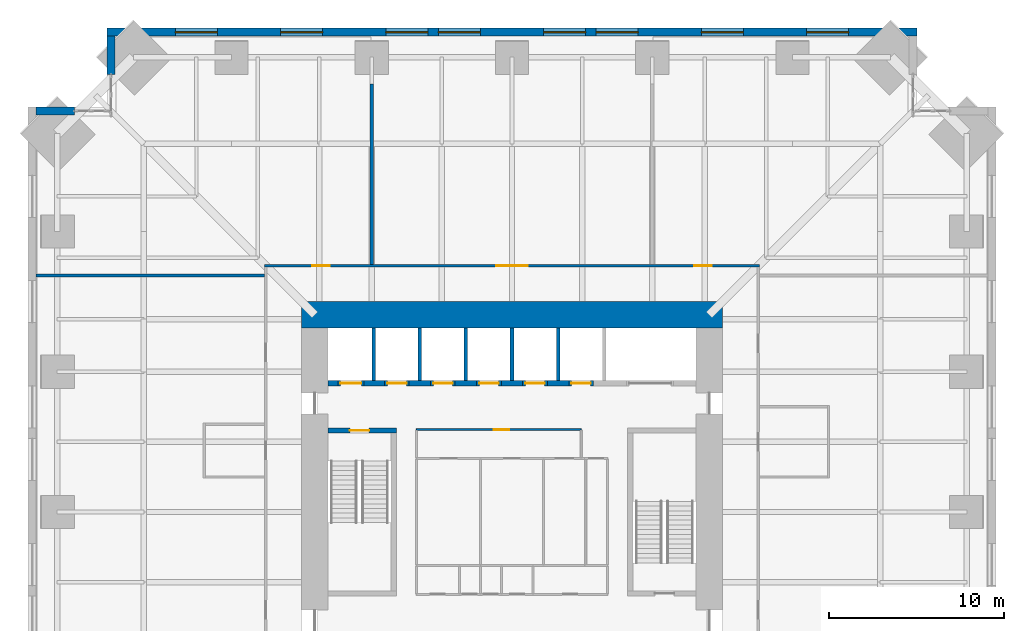
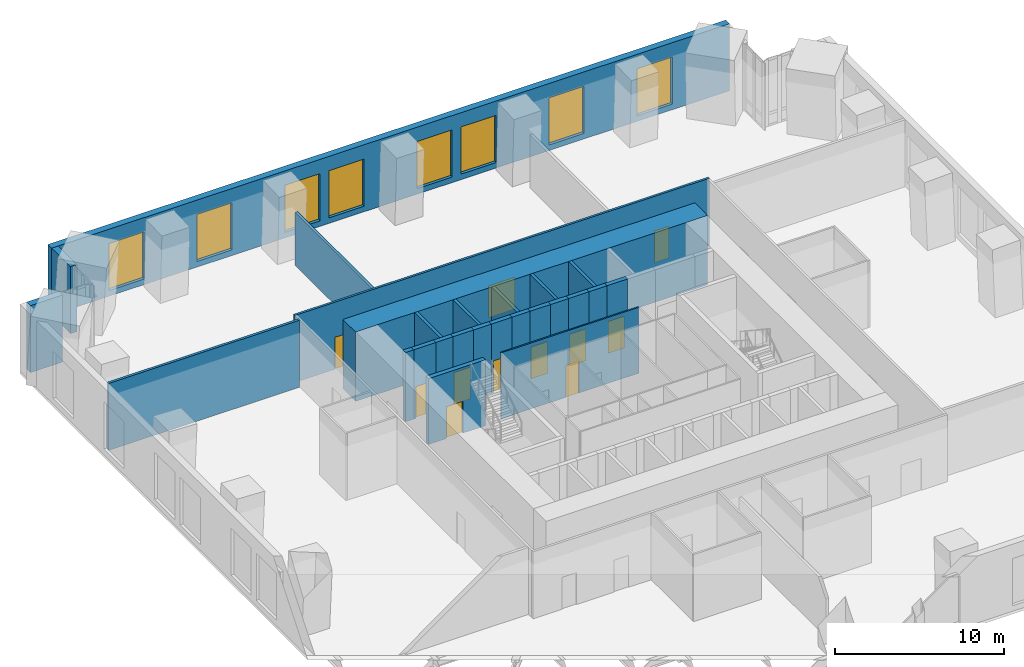
# One storey, part 15 of 18: 26 walls, 11 doors, 8 windows, 19 openings.
"""IFC4 building model written with IfcOpenShell, lengths in metres."""

from ifc_helpers import new_model, si_unit, direction, frame, frame_2d, origin, place, context, subcontext, project, spatial, rectangle, extrude, material, layer, layer_set, type_object, element, fill, save


model = new_model("IFC4")

# Units and contexts
model_context = context("Model", 3, precision=1e-05, world=origin(), true_north=direction((0.0, 1.0)))
body_context = subcontext(model_context, "Body", "Model", "MODEL_VIEW")
ifc_project = project(units=[si_unit("LENGTHUNIT", "METRE"), si_unit("AREAUNIT", "SQUARE_METRE"), si_unit("VOLUMEUNIT", "CUBIC_METRE"), si_unit("PLANEANGLEUNIT", "RADIAN"), si_unit("MASSUNIT", "GRAM", prefix="KILO")], contexts=[model_context])

# Site, building, storey
site_placement = place(None, origin())
site = spatial("IfcSite", under=ifc_project, at=site_placement, CompositionType="ELEMENT")
building_placement = place(site_placement, origin())
building = spatial("IfcBuilding", under=site, at=building_placement, Name="Peilmerk Tower", CompositionType="ELEMENT")
storey_placement = place(building_placement, frame((0.0, 0.0, 122.800048828125)))
storey = spatial("IfcBuildingStorey", under=building, at=storey_placement, Name="L24", CompositionType="ELEMENT", Elevation=122.800048828125)

# Wall, openings, windows
ifc_material_1 = material(Name="Precast concrete C45/55, board-marked finish", Category="concrete")
ifc_layer_1 = layer(ifc_material_1, 0.449951171875)
ifc_layer_set_1 = layer_set([ifc_layer_1], Name="Precast concrete C45/55, board-marked finish")
wall_type_1 = type_object("IfcWallType", Name="EW1 450 precast concrete facade wall, board-marked", PredefinedType="SOLIDWALL", material=ifc_layer_set_1)
wall_1_placement = place(storey_placement, frame((23.10009765625, 27.375, 0.0), z_axis=(0.0, 0.0, 1.0), x_axis=(-1.0, 0.0, 0.0)))
wall_1 = element("IfcWall", 1, at=wall_1_placement, inside=storey, type_object=wall_type_1, Name="Facade wall N L24", PredefinedType="SOLIDWALL", context=body_context, shape_type="SweptSolid", body=[
    extrude(rectangle(XDim=46.2001953125, YDim=0.449951171875, at=frame_2d((23.10009765625, 0.0))), origin(), (0.0, 0.0, 1.0), 4.829833984375),
])
opening_1_placement = place(wall_1_placement, frame((3.89990234375, 0.0, 0.39990234375)))
opening_1 = element("IfcOpeningElement", 2, at=opening_1_placement, cuts=wall_1, Name="Opening W6", PredefinedType="OPENING", context=body_context, shape_type="SweptSolid", body=[
    extrude(rectangle(XDim=2.39990234375, YDim=3.39990234375, at=frame_2d((1.199951171875, 1.699951171875))), frame((0.0, 0.23486328125, 0.0), z_axis=(0.0, -1.0, 0.0), x_axis=(1.0, 0.0, 0.0)), (0.0, 0.0, 1.0), 0.469970703125),
])
opening_2_placement = place(wall_1_placement, frame((9.89990234375, 0.0, 0.39990234375)))
opening_2 = element("IfcOpeningElement", 3, at=opening_2_placement, cuts=wall_1, Name="Opening W6", PredefinedType="OPENING", context=body_context, shape_type="SweptSolid", body=[
    extrude(rectangle(XDim=2.39990234375, YDim=3.39990234375, at=frame_2d((1.199951171875, 1.699951171875))), frame((0.0, 0.23486328125, 0.0), z_axis=(0.0, -1.0, 0.0), x_axis=(1.0, 0.0, 0.0)), (0.0, 0.0, 1.0), 0.469970703125),
])
opening_3_placement = place(wall_1_placement, frame((15.89990234375, 0.0, 0.39990234375)))
opening_3 = element("IfcOpeningElement", 4, at=opening_3_placement, cuts=wall_1, Name="Opening W6", PredefinedType="OPENING", context=body_context, shape_type="SweptSolid", body=[
    extrude(rectangle(XDim=2.39990234375, YDim=3.39990234375, at=frame_2d((1.199951171875, 1.699951171875))), frame((0.0, 0.23486328125, 0.0), z_axis=(0.0, -1.0, 0.0), x_axis=(1.0, 0.0, 0.0)), (0.0, 0.0, 1.0), 0.469970703125),
])
opening_4_placement = place(wall_1_placement, frame((18.89990234375, 0.0, 0.39990234375)))
opening_4 = element("IfcOpeningElement", 5, at=opening_4_placement, cuts=wall_1, Name="Opening W6", PredefinedType="OPENING", context=body_context, shape_type="SweptSolid", body=[
    extrude(rectangle(XDim=2.39990234375, YDim=3.39990234375, at=frame_2d((1.199951171875, 1.699951171875))), frame((0.0, 0.23486328125, 0.0), z_axis=(0.0, -1.0, 0.0), x_axis=(1.0, 0.0, 0.0)), (0.0, 0.0, 1.0), 0.469970703125),
])
opening_5_placement = place(wall_1_placement, frame((24.89990234375, 0.0, 0.39990234375)))
opening_5 = element("IfcOpeningElement", 6, at=opening_5_placement, cuts=wall_1, Name="Opening W6", PredefinedType="OPENING", context=body_context, shape_type="SweptSolid", body=[
    extrude(rectangle(XDim=2.39990234375, YDim=3.39990234375, at=frame_2d((1.199951171875, 1.699951171875))), frame((0.0, 0.23486328125, 0.0), z_axis=(0.0, -1.0, 0.0), x_axis=(1.0, 0.0, 0.0)), (0.0, 0.0, 1.0), 0.469970703125),
])
opening_6_placement = place(wall_1_placement, frame((27.89990234375, 0.0, 0.39990234375)))
opening_6 = element("IfcOpeningElement", 7, at=opening_6_placement, cuts=wall_1, Name="Opening W6", PredefinedType="OPENING", context=body_context, shape_type="SweptSolid", body=[
    extrude(rectangle(XDim=2.39990234375, YDim=3.39990234375, at=frame_2d((1.199951171875, 1.699951171875))), frame((0.0, 0.23486328125, 0.0), z_axis=(0.0, -1.0, 0.0), x_axis=(1.0, 0.0, 0.0)), (0.0, 0.0, 1.0), 0.469970703125),
])
opening_7_placement = place(wall_1_placement, frame((33.89990234375, 0.0, 0.39990234375)))
opening_7 = element("IfcOpeningElement", 8, at=opening_7_placement, cuts=wall_1, Name="Opening W6", PredefinedType="OPENING", context=body_context, shape_type="SweptSolid", body=[
    extrude(rectangle(XDim=2.39990234375, YDim=3.39990234375, at=frame_2d((1.199951171875, 1.699951171875))), frame((0.0, 0.23486328125, 0.0), z_axis=(0.0, -1.0, 0.0), x_axis=(1.0, 0.0, 0.0)), (0.0, 0.0, 1.0), 0.469970703125),
])
opening_8_placement = place(wall_1_placement, frame((39.89990234375, 0.0, 0.39990234375)))
opening_8 = element("IfcOpeningElement", 9, at=opening_8_placement, cuts=wall_1, Name="Opening W6", PredefinedType="OPENING", context=body_context, shape_type="SweptSolid", body=[
    extrude(rectangle(XDim=2.39990234375, YDim=3.39990234375, at=frame_2d((1.199951171875, 1.699951171875))), frame((0.0, 0.23486328125, 0.0), z_axis=(0.0, -1.0, 0.0), x_axis=(1.0, 0.0, 0.0)), (0.0, 0.0, 1.0), 0.469970703125),
])
ifc_material_2 = material(Name="Aluminium frame, clear double glazing", Category="aluminium")
window_type = type_object("IfcWindowType", Name="W6 2400x3400 sky lobby window", PartitioningType="SINGLE_PANEL", PredefinedType="WINDOW", material=ifc_material_2)
window_1_placement = place(opening_1_placement, origin())
window_1 = element("IfcWindow", 10, at=window_1_placement, inside=storey, type_object=window_type, Name="Window W6 L24", OverallHeight=3.39990234375, OverallWidth=2.39990234375, PartitioningType="SINGLE_PANEL", PredefinedType="WINDOW", context=body_context, shape_type="SweptSolid", body=[
    extrude(rectangle(XDim=2.39990234375, YDim=3.39990234375, at=frame_2d((1.199951171875, 1.699951171875))), frame((0.0, 0.030029296875, 0.0), z_axis=(0.0, -1.0, 0.0), x_axis=(1.0, 0.0, 0.0)), (0.0, 0.0, 1.0), 0.06005859375),
])
fill(opening_1, window_1)
window_2_placement = place(opening_2_placement, origin())
window_2 = element("IfcWindow", 11, at=window_2_placement, inside=storey, type_object=window_type, Name="Window W6 L24", OverallHeight=3.39990234375, OverallWidth=2.39990234375, PartitioningType="SINGLE_PANEL", PredefinedType="WINDOW", context=body_context, shape_type="SweptSolid", body=[
    extrude(rectangle(XDim=2.39990234375, YDim=3.39990234375, at=frame_2d((1.199951171875, 1.699951171875))), frame((0.0, 0.030029296875, 0.0), z_axis=(0.0, -1.0, 0.0), x_axis=(1.0, 0.0, 0.0)), (0.0, 0.0, 1.0), 0.06005859375),
])
fill(opening_2, window_2)
window_3_placement = place(opening_3_placement, origin())
window_3 = element("IfcWindow", 12, at=window_3_placement, inside=storey, type_object=window_type, Name="Window W6 L24", OverallHeight=3.39990234375, OverallWidth=2.39990234375, PartitioningType="SINGLE_PANEL", PredefinedType="WINDOW", context=body_context, shape_type="SweptSolid", body=[
    extrude(rectangle(XDim=2.39990234375, YDim=3.39990234375, at=frame_2d((1.199951171875, 1.699951171875))), frame((0.0, 0.030029296875, 0.0), z_axis=(0.0, -1.0, 0.0), x_axis=(1.0, 0.0, 0.0)), (0.0, 0.0, 1.0), 0.06005859375),
])
fill(opening_3, window_3)
window_4_placement = place(opening_4_placement, origin())
window_4 = element("IfcWindow", 13, at=window_4_placement, inside=storey, type_object=window_type, Name="Window W6 L24", OverallHeight=3.39990234375, OverallWidth=2.39990234375, PartitioningType="SINGLE_PANEL", PredefinedType="WINDOW", context=body_context, shape_type="SweptSolid", body=[
    extrude(rectangle(XDim=2.39990234375, YDim=3.39990234375, at=frame_2d((1.199951171875, 1.699951171875))), frame((0.0, 0.030029296875, 0.0), z_axis=(0.0, -1.0, 0.0), x_axis=(1.0, 0.0, 0.0)), (0.0, 0.0, 1.0), 0.06005859375),
])
fill(opening_4, window_4)
window_5_placement = place(opening_5_placement, origin())
window_5 = element("IfcWindow", 14, at=window_5_placement, inside=storey, type_object=window_type, Name="Window W6 L24", OverallHeight=3.39990234375, OverallWidth=2.39990234375, PartitioningType="SINGLE_PANEL", PredefinedType="WINDOW", context=body_context, shape_type="SweptSolid", body=[
    extrude(rectangle(XDim=2.39990234375, YDim=3.39990234375, at=frame_2d((1.199951171875, 1.699951171875))), frame((0.0, 0.030029296875, 0.0), z_axis=(0.0, -1.0, 0.0), x_axis=(1.0, 0.0, 0.0)), (0.0, 0.0, 1.0), 0.06005859375),
])
fill(opening_5, window_5)
window_6_placement = place(opening_6_placement, origin())
window_6 = element("IfcWindow", 15, at=window_6_placement, inside=storey, type_object=window_type, Name="Window W6 L24", OverallHeight=3.39990234375, OverallWidth=2.39990234375, PartitioningType="SINGLE_PANEL", PredefinedType="WINDOW", context=body_context, shape_type="SweptSolid", body=[
    extrude(rectangle(XDim=2.39990234375, YDim=3.39990234375, at=frame_2d((1.199951171875, 1.699951171875))), frame((0.0, 0.030029296875, 0.0), z_axis=(0.0, -1.0, 0.0), x_axis=(1.0, 0.0, 0.0)), (0.0, 0.0, 1.0), 0.06005859375),
])
fill(opening_6, window_6)
window_7_placement = place(opening_7_placement, origin())
window_7 = element("IfcWindow", 16, at=window_7_placement, inside=storey, type_object=window_type, Name="Window W6 L24", OverallHeight=3.39990234375, OverallWidth=2.39990234375, PartitioningType="SINGLE_PANEL", PredefinedType="WINDOW", context=body_context, shape_type="SweptSolid", body=[
    extrude(rectangle(XDim=2.39990234375, YDim=3.39990234375, at=frame_2d((1.199951171875, 1.699951171875))), frame((0.0, 0.030029296875, 0.0), z_axis=(0.0, -1.0, 0.0), x_axis=(1.0, 0.0, 0.0)), (0.0, 0.0, 1.0), 0.06005859375),
])
fill(opening_7, window_7)
window_8_placement = place(opening_8_placement, origin())
window_8 = element("IfcWindow", 17, at=window_8_placement, inside=storey, type_object=window_type, Name="Window W6 L24", OverallHeight=3.39990234375, OverallWidth=2.39990234375, PartitioningType="SINGLE_PANEL", PredefinedType="WINDOW", context=body_context, shape_type="SweptSolid", body=[
    extrude(rectangle(XDim=2.39990234375, YDim=3.39990234375, at=frame_2d((1.199951171875, 1.699951171875))), frame((0.0, 0.030029296875, 0.0), z_axis=(0.0, -1.0, 0.0), x_axis=(1.0, 0.0, 0.0)), (0.0, 0.0, 1.0), 0.06005859375),
])
fill(opening_8, window_8)

# Walls
for number, where, z_axis, x_axis, name in (
    (18, (-22.875, 24.95361328125, 0.0), (0.0, 0.0, 1.0), (0.0, 1.0, 0.0), "Facade wall NWA L24"),
    (19, (-24.95361328125, 22.875, 0.0), (0.0, 0.0, 1.0), (-1.0, 0.0, 0.0), "Facade wall NWB L24"),
):
    element("IfcWall", number, at=place(storey_placement, frame(where, z_axis=z_axis, x_axis=x_axis)), inside=storey, type_object=wall_type_1, Name=name, PredefinedType="SOLIDWALL", context=body_context, shape_type="SweptSolid", body=[
        extrude(rectangle(XDim=2.1962890625, YDim=0.449951171875, at=frame_2d((1.09814453125, 0.0))), origin(), (0.0, 0.0, 1.0), 4.829833984375),
    ])

# Wall, openings, doors
ifc_material_3 = material(Name="Calcium silicate block", Category="masonry")
ifc_layer_2 = layer(ifc_material_3, 0.14990234375)
ifc_layer_set_2 = layer_set([ifc_layer_2], Name="Calcium silicate block")
wall_type_2 = type_object("IfcWallType", Name="IW1 150 corridor partition, EI 60", PredefinedType="PARTITIONING", material=ifc_layer_set_2)
wall_2_placement = place(storey_placement, frame((-14.125, 14.050048828125, 0.0), z_axis=(0.0, 0.0, 1.0), x_axis=(1.0, 0.0, 0.0)))
wall_2 = element("IfcWall", 20, at=wall_2_placement, inside=storey, type_object=wall_type_2, Name="Corridor wall N L24", PredefinedType="PARTITIONING", context=body_context, shape_type="SweptSolid", body=[
    extrude(rectangle(XDim=28.25, YDim=0.14990234375, at=frame_2d((14.125, 0.0))), origin(), (0.0, 0.0, 1.0), 4.829833984375),
])
opening_9_placement = place(wall_2_placement, frame((2.72509765625, 0.0, 0.0)))
opening_9 = element("IfcOpeningElement", 21, at=opening_9_placement, cuts=wall_2, Name="Opening D1", PredefinedType="OPENING", context=body_context, shape_type="SweptSolid", body=[
    extrude(rectangle(XDim=1.0, YDim=2.300048828125, at=frame_2d((0.5, 1.14990234375))), frame((0.0, 0.0849609375, 0.0), z_axis=(0.0, -1.0, 0.0), x_axis=(1.0, 0.0, 0.0)), (0.0, 0.0, 1.0), 0.169921875),
])
opening_10_placement = place(wall_2_placement, frame((13.22509765625, 0.0, 0.0)))
opening_10 = element("IfcOpeningElement", 22, at=opening_10_placement, cuts=wall_2, Name="Opening D2", PredefinedType="OPENING", context=body_context, shape_type="SweptSolid", body=[
    extrude(rectangle(XDim=1.800048828125, YDim=2.300048828125, at=frame_2d((0.89990234375, 1.14990234375))), frame((0.0, 0.0849609375, 0.0), z_axis=(0.0, -1.0, 0.0), x_axis=(1.0, 0.0, 0.0)), (0.0, 0.0, 1.0), 0.169921875),
])
opening_11_placement = place(wall_2_placement, frame((24.52490234375, 0.0, 0.0)))
opening_11 = element("IfcOpeningElement", 23, at=opening_11_placement, cuts=wall_2, Name="Opening D1", PredefinedType="OPENING", context=body_context, shape_type="SweptSolid", body=[
    extrude(rectangle(XDim=1.0, YDim=2.300048828125, at=frame_2d((0.5, 1.14990234375))), frame((0.0, 0.0849609375, 0.0), z_axis=(0.0, -1.0, 0.0), x_axis=(1.0, 0.0, 0.0)), (0.0, 0.0, 1.0), 0.169921875),
])
ifc_material_4 = material(Name="Timber door in steel frame", Category="steel")
door_type_1 = type_object("IfcDoorType", Name="D1 1000x2300 room door, EI2 30", OperationType="SINGLE_SWING_LEFT", PredefinedType="DOOR", material=ifc_material_4)
door_1_placement = place(opening_9_placement, origin())
door_1 = element("IfcDoor", 24, at=door_1_placement, inside=storey, type_object=door_type_1, Name="Door Office L24", OperationType="SINGLE_SWING_LEFT", OverallHeight=2.300048828125, OverallWidth=1.0, PredefinedType="DOOR", context=body_context, shape_type="SweptSolid", body=[
    extrude(rectangle(XDim=1.0, YDim=2.300048828125, at=frame_2d((0.5, 1.14990234375))), frame((0.0, 0.02490234375, 0.0), z_axis=(0.0, -1.0, 0.0), x_axis=(1.0, 0.0, 0.0)), (0.0, 0.0, 1.0), 0.050048828125),
])
fill(opening_9, door_1)
door_2_placement = place(opening_11_placement, origin())
door_2 = element("IfcDoor", 25, at=door_2_placement, inside=storey, type_object=door_type_1, Name="Door Office L24", OperationType="SINGLE_SWING_LEFT", OverallHeight=2.300048828125, OverallWidth=1.0, PredefinedType="DOOR", context=body_context, shape_type="SweptSolid", body=[
    extrude(rectangle(XDim=1.0, YDim=2.300048828125, at=frame_2d((0.5, 1.14990234375))), frame((0.0, 0.02490234375, 0.0), z_axis=(0.0, -1.0, 0.0), x_axis=(1.0, 0.0, 0.0)), (0.0, 0.0, 1.0), 0.050048828125),
])
fill(opening_11, door_2)
ifc_material_5 = material(Name="Steel door in steel frame", Category="steel")
door_type_2 = type_object("IfcDoorType", Name="D2 1800x2300 double door, EI2 60", OperationType="DOUBLE_DOOR_DOUBLE_SWING", PredefinedType="DOOR", material=ifc_material_5)
door_3_placement = place(opening_10_placement, origin())
door_3 = element("IfcDoor", 26, at=door_3_placement, inside=storey, type_object=door_type_2, Name="Door Sky lobby L24", OperationType="DOUBLE_DOOR_DOUBLE_SWING", OverallHeight=2.300048828125, OverallWidth=1.800048828125, PredefinedType="DOOR", context=body_context, shape_type="SweptSolid", body=[
    extrude(rectangle(XDim=1.800048828125, YDim=2.300048828125, at=frame_2d((0.89990234375, 1.14990234375))), frame((0.0, 0.02490234375, 0.0), z_axis=(0.0, -1.0, 0.0), x_axis=(1.0, 0.0, 0.0)), (0.0, 0.0, 1.0), 0.050048828125),
])
fill(opening_10, door_3)

# Wall, opening, door
ifc_material_6 = material(Name="Concrete C35/45", Category="concrete")
ifc_layer_3 = layer(ifc_material_6, 0.300048828125)
ifc_layer_set_3 = layer_set([ifc_layer_3], Name="Concrete C35/45")
wall_type_3 = type_object("IfcWallType", Name="IW3 300 concrete stair enclosure wall, EI 120", PredefinedType="SOLIDWALL", material=ifc_layer_set_3)
wall_3_placement = place(storey_placement, frame((-10.5, 4.64990234375, 0.0), z_axis=(0.0, 0.0, 1.0), x_axis=(1.0, 0.0, 0.0)))
wall_3 = element("IfcWall", 27, at=wall_3_placement, inside=storey, type_object=wall_type_3, Name="Stair 1 enclosure L24", PredefinedType="SOLIDWALL", context=body_context, shape_type="SweptSolid", body=[
    extrude(rectangle(XDim=3.89990234375, YDim=0.300048828125, at=frame_2d((1.949951171875, 0.0))), origin(), (0.0, 0.0, 1.0), 4.75),
])
opening_12_placement = place(wall_3_placement, frame((1.25, 0.0, 0.0)))
opening_12 = element("IfcOpeningElement", 28, at=opening_12_placement, cuts=wall_3, Name="Opening D4", PredefinedType="OPENING", context=body_context, shape_type="SweptSolid", body=[
    extrude(rectangle(XDim=1.10009765625, YDim=2.300048828125, at=frame_2d((0.550048828125, 1.14990234375))), frame((0.0, 0.159912109375, 0.0), z_axis=(0.0, -1.0, 0.0), x_axis=(1.0, 0.0, 0.0)), (0.0, 0.0, 1.0), 0.320068359375),
])
door_type_3 = type_object("IfcDoorType", Name="D4 1100x2300 stair door, EI2 60", OperationType="SINGLE_SWING_RIGHT", PredefinedType="DOOR", material=ifc_material_5)
door_4_placement = place(opening_12_placement, frame((1.10009765625, 0.0, 0.0), z_axis=(0.0, 0.0, 1.0), x_axis=(-1.0, 0.0, 0.0)))
door_4 = element("IfcDoor", 29, at=door_4_placement, inside=storey, type_object=door_type_3, Name="Stair 1 door L24", OperationType="SINGLE_SWING_RIGHT", OverallHeight=2.300048828125, OverallWidth=1.10009765625, PredefinedType="DOOR", context=body_context, shape_type="SweptSolid", body=[
    extrude(rectangle(XDim=1.10009765625, YDim=2.300048828125, at=frame_2d((0.550048828125, 1.14990234375))), frame((0.0, 0.02490234375, 0.0), z_axis=(0.0, -1.0, 0.0), x_axis=(1.0, 0.0, 0.0)), (0.0, 0.0, 1.0), 0.050048828125),
])
fill(opening_12, door_4)

# Walls
ifc_layer_4 = layer(ifc_material_3, 0.175048828125)
ifc_layer_set_4 = layer_set([ifc_layer_4], Name="Calcium silicate block")
wall_type_4 = type_object("IfcWallType", Name="IW8 175 tenant separating wall, EI 60", PredefinedType="PARTITIONING", material=ifc_layer_set_4)
wall_4_placement = place(storey_placement, frame((-27.14990234375, 13.5, 0.0), z_axis=(0.0, 0.0, 1.0), x_axis=(1.0, 0.0, 0.0)))
element("IfcWall", 30, at=wall_4_placement, inside=storey, type_object=wall_type_4, Name="Tenant separating wall NW L24", PredefinedType="PARTITIONING", context=body_context, shape_type="SweptSolid", body=[
    extrude(rectangle(XDim=13.02490234375, YDim=0.175048828125, at=frame_2d((6.512451171875, 0.0))), origin(), (0.0, 0.0, 1.0), 4.829833984375),
])
wall_5_placement = place(storey_placement, frame((-8.0, 14.125, 0.0), z_axis=(0.0, 0.0, 1.0), x_axis=(0.0, 1.0, 0.0)))
element("IfcWall", 31, at=wall_5_placement, inside=storey, type_object=wall_type_4, Name="Tenant separating wall N1 L24", PredefinedType="PARTITIONING", context=body_context, shape_type="SweptSolid", body=[
    extrude(rectangle(XDim=10.275146484375, YDim=0.175048828125, at=frame_2d((5.1376953125, 0.0))), origin(), (0.0, 0.0, 1.0), 3.822021484375),
])

# Wall, opening, door
ifc_material_7 = material(Name="Fire-resisting plasterboard on steel studs", Category="steel")
ifc_layer_5 = layer(ifc_material_7, 0.10009765625)
ifc_layer_set_5 = layer_set([ifc_layer_5], Name="Fire-resisting plasterboard on steel studs")
wall_type_5 = type_object("IfcWallType", Name="IW9 100 WC lobby wall, EI 30", PredefinedType="PARTITIONING", material=ifc_layer_set_5)
wall_6_placement = place(storey_placement, frame((-5.449951171875, 4.699951171875, 0.0), z_axis=(0.0, 0.0, 1.0), x_axis=(1.0, 0.0, 0.0)))
wall_6 = element("IfcWall", 32, at=wall_6_placement, inside=storey, type_object=wall_type_5, Name="WC lobby wall L24", PredefinedType="PARTITIONING", context=body_context, shape_type="SweptSolid", body=[
    extrude(rectangle(XDim=9.39990234375, YDim=0.10009765625, at=frame_2d((4.699951171875, 0.0))), origin(), (0.0, 0.0, 1.0), 4.75),
])
opening_13_placement = place(wall_6_placement, frame((4.39990234375, 0.0, 0.0)))
opening_13 = element("IfcOpeningElement", 33, at=opening_13_placement, cuts=wall_6, Name="Opening D11", PredefinedType="OPENING", context=body_context, shape_type="SweptSolid", body=[
    extrude(rectangle(XDim=0.89990234375, YDim=2.300048828125, at=frame_2d((0.449951171875, 1.14990234375))), frame((0.0, 0.06005859375, 0.0), z_axis=(0.0, -1.0, 0.0), x_axis=(1.0, 0.0, 0.0)), (0.0, 0.0, 1.0), 0.1201171875),
])
door_type_4 = type_object("IfcDoorType", Name="D11 900x2300 WC lobby door, EI2 30", OperationType="SINGLE_SWING_LEFT", PredefinedType="DOOR", material=ifc_material_4)
door_5_placement = place(opening_13_placement, frame((0.89990234375, 0.0, 0.0), z_axis=(0.0, 0.0, 1.0), x_axis=(-1.0, 0.0, 0.0)))
door_5 = element("IfcDoor", 34, at=door_5_placement, inside=storey, type_object=door_type_4, Name="WC lobby door L24", OperationType="SINGLE_SWING_LEFT", OverallHeight=2.300048828125, OverallWidth=0.89990234375, PredefinedType="DOOR", context=body_context, shape_type="SweptSolid", body=[
    extrude(rectangle(XDim=0.89990234375, YDim=2.300048828125, at=frame_2d((0.449951171875, 1.14990234375))), frame((0.0, 0.02490234375, 0.0), z_axis=(0.0, -1.0, 0.0), x_axis=(1.0, 0.0, 0.0)), (0.0, 0.0, 1.0), 0.050048828125),
])
fill(opening_13, door_5)

# Walls
ifc_layer_6 = layer(ifc_material_3, 0.199951171875)
ifc_layer_set_6 = layer_set([ifc_layer_6], Name="Calcium silicate block")
wall_type_6 = type_object("IfcWallType", Name="SH1 200 shaft dividing wall, EI 120", PredefinedType="PARTITIONING", material=ifc_layer_set_6)
for number, where, z_axis, x_axis, name in (
    (35, (-7.875, 7.5, 0.0), (0.0, 0.0, 1.0), (0.0, 1.0, 0.0), "Shaft wall N FL1 L24"),
    (36, (-5.25, 7.5, 0.0), (0.0, 0.0, 1.0), (0.0, 1.0, 0.0), "Shaft wall N A1 L24"),
    (37, (-2.625, 7.5, 0.0), (0.0, 0.0, 1.0), (0.0, 1.0, 0.0), "Shaft wall N A2 L24"),
    (38, (0.0, 7.5, 0.0), (0.0, 0.0, 1.0), (0.0, 1.0, 0.0), "Shaft wall N A3 L24"),
    (39, (2.625, 7.5, 0.0), (0.0, 0.0, 1.0), (0.0, 1.0, 0.0), "Shaft wall N S1 L24"),
):
    element("IfcWall", number, at=place(storey_placement, frame(where, z_axis=z_axis, x_axis=x_axis)), inside=storey, type_object=wall_type_6, Name=name, PredefinedType="PARTITIONING", context=body_context, shape_type="SweptSolid", body=[
        extrude(rectangle(XDim=3.0, YDim=0.199951171875, at=frame_2d((1.5, 0.0))), origin(), (0.0, 0.0, 1.0), 5.0),
    ])

# Wall, opening, door
ifc_layer_7 = layer(ifc_material_3, 0.300048828125)
ifc_layer_set_7 = layer_set([ifc_layer_7], Name="Calcium silicate block")
wall_type_7 = type_object("IfcWallType", Name="SH2 300 lift landing door panel, EI 120", PredefinedType="PARTITIONING", material=ifc_layer_set_7)
wall_7_placement = place(storey_placement, frame((-9.9375, 7.35009765625, 0.0), z_axis=(0.0, 0.0, 1.0), x_axis=(1.0, 0.0, 0.0)))
wall_7 = element("IfcWall", 40, at=wall_7_placement, inside=storey, type_object=wall_type_7, Name="Lift door panel N FL1 L24", PredefinedType="PARTITIONING", context=body_context, shape_type="SweptSolid", body=[
    extrude(rectangle(XDim=1.5, YDim=0.300048828125, at=frame_2d((0.75, 0.0))), origin(), (0.0, 0.0, 1.0), 5.0),
])
opening_14_placement = place(wall_7_placement, frame((0.14990234375, 0.0, 0.0)))
opening_14 = element("IfcOpeningElement", 41, at=opening_14_placement, cuts=wall_7, Name="Opening LD2", PredefinedType="OPENING", context=body_context, shape_type="SweptSolid", body=[
    extrude(rectangle(XDim=1.199951171875, YDim=2.300048828125, at=frame_2d((0.60009765625, 1.14990234375))), frame((0.0, 0.159912109375, 0.0), z_axis=(0.0, -1.0, 0.0), x_axis=(1.0, 0.0, 0.0)), (0.0, 0.0, 1.0), 0.320068359375),
])
ifc_material_8 = material(Name="Stainless steel landing door", Category="steel")
door_type_5 = type_object("IfcDoorType", Name="LD2 1200x2300 lift landing door, sliding, EI2 60", OperationType="SLIDING_TO_LEFT", PredefinedType="DOOR", material=ifc_material_8)
door_6_placement = place(opening_14_placement, frame((1.199951171875, 0.0, 0.0), z_axis=(0.0, 0.0, 1.0), x_axis=(-1.0, 0.0, 0.0)))
door_6 = element("IfcDoor", 42, at=door_6_placement, inside=storey, type_object=door_type_5, Name="Lift landing door FL1 L24", OperationType="SLIDING_TO_LEFT", OverallHeight=2.300048828125, OverallWidth=1.199951171875, PredefinedType="DOOR", context=body_context, shape_type="SweptSolid", body=[
    extrude(rectangle(XDim=1.199951171875, YDim=2.300048828125, at=frame_2d((0.60009765625, 1.14990234375))), frame((0.0, 0.02490234375, 0.0), z_axis=(0.0, -1.0, 0.0), x_axis=(1.0, 0.0, 0.0)), (0.0, 0.0, 1.0), 0.050048828125),
])
fill(opening_14, door_6)

wall_8_placement = place(storey_placement, frame((-7.262451171875, 7.35009765625, 0.0), z_axis=(0.0, 0.0, 1.0), x_axis=(1.0, 0.0, 0.0)))
wall_8 = element("IfcWall", 43, at=wall_8_placement, inside=storey, type_object=wall_type_7, Name="Lift door panel N A1 L24", PredefinedType="PARTITIONING", context=body_context, shape_type="SweptSolid", body=[
    extrude(rectangle(XDim=1.39990234375, YDim=0.300048828125, at=frame_2d((0.699951171875, 0.0))), origin(), (0.0, 0.0, 1.0), 5.0),
])
opening_15_placement = place(wall_8_placement, frame((0.14990234375, 0.0, 0.0)))
opening_15 = element("IfcOpeningElement", 44, at=opening_15_placement, cuts=wall_8, Name="Opening LD1", PredefinedType="OPENING", context=body_context, shape_type="SweptSolid", body=[
    extrude(rectangle(XDim=1.10009765625, YDim=2.300048828125, at=frame_2d((0.550048828125, 1.14990234375))), frame((0.0, 0.159912109375, 0.0), z_axis=(0.0, -1.0, 0.0), x_axis=(1.0, 0.0, 0.0)), (0.0, 0.0, 1.0), 0.320068359375),
])
door_type_6 = type_object("IfcDoorType", Name="LD1 1100x2300 lift landing door, sliding, EI2 60", OperationType="SLIDING_TO_LEFT", PredefinedType="DOOR", material=ifc_material_8)
door_7_placement = place(opening_15_placement, frame((1.10009765625, 0.0, 0.0), z_axis=(0.0, 0.0, 1.0), x_axis=(-1.0, 0.0, 0.0)))
door_7 = element("IfcDoor", 45, at=door_7_placement, inside=storey, type_object=door_type_6, Name="Lift landing door A1 L24", OperationType="SLIDING_TO_LEFT", OverallHeight=2.300048828125, OverallWidth=1.10009765625, PredefinedType="DOOR", context=body_context, shape_type="SweptSolid", body=[
    extrude(rectangle(XDim=1.10009765625, YDim=2.300048828125, at=frame_2d((0.550048828125, 1.14990234375))), frame((0.0, 0.02490234375, 0.0), z_axis=(0.0, -1.0, 0.0), x_axis=(1.0, 0.0, 0.0)), (0.0, 0.0, 1.0), 0.050048828125),
])
fill(opening_15, door_7)

wall_9_placement = place(storey_placement, frame((-4.637451171875, 7.35009765625, 0.0), z_axis=(0.0, 0.0, 1.0), x_axis=(1.0, 0.0, 0.0)))
wall_9 = element("IfcWall", 46, at=wall_9_placement, inside=storey, type_object=wall_type_7, Name="Lift door panel N A2 L24", PredefinedType="PARTITIONING", context=body_context, shape_type="SweptSolid", body=[
    extrude(rectangle(XDim=1.39990234375, YDim=0.300048828125, at=frame_2d((0.699951171875, 0.0))), origin(), (0.0, 0.0, 1.0), 5.0),
])
opening_16_placement = place(wall_9_placement, frame((0.14990234375, 0.0, 0.0)))
opening_16 = element("IfcOpeningElement", 47, at=opening_16_placement, cuts=wall_9, Name="Opening LD1", PredefinedType="OPENING", context=body_context, shape_type="SweptSolid", body=[
    extrude(rectangle(XDim=1.10009765625, YDim=2.300048828125, at=frame_2d((0.550048828125, 1.14990234375))), frame((0.0, 0.159912109375, 0.0), z_axis=(0.0, -1.0, 0.0), x_axis=(1.0, 0.0, 0.0)), (0.0, 0.0, 1.0), 0.320068359375),
])
door_8_placement = place(opening_16_placement, frame((1.10009765625, 0.0, 0.0), z_axis=(0.0, 0.0, 1.0), x_axis=(-1.0, 0.0, 0.0)))
door_8 = element("IfcDoor", 48, at=door_8_placement, inside=storey, type_object=door_type_6, Name="Lift landing door A2 L24", OperationType="SLIDING_TO_LEFT", OverallHeight=2.300048828125, OverallWidth=1.10009765625, PredefinedType="DOOR", context=body_context, shape_type="SweptSolid", body=[
    extrude(rectangle(XDim=1.10009765625, YDim=2.300048828125, at=frame_2d((0.550048828125, 1.14990234375))), frame((0.0, 0.02490234375, 0.0), z_axis=(0.0, -1.0, 0.0), x_axis=(1.0, 0.0, 0.0)), (0.0, 0.0, 1.0), 0.050048828125),
])
fill(opening_16, door_8)

wall_10_placement = place(storey_placement, frame((-2.012451171875, 7.35009765625, 0.0), z_axis=(0.0, 0.0, 1.0), x_axis=(1.0, 0.0, 0.0)))
wall_10 = element("IfcWall", 49, at=wall_10_placement, inside=storey, type_object=wall_type_7, Name="Lift door panel N A3 L24", PredefinedType="PARTITIONING", context=body_context, shape_type="SweptSolid", body=[
    extrude(rectangle(XDim=1.39990234375, YDim=0.300048828125, at=frame_2d((0.699951171875, 0.0))), origin(), (0.0, 0.0, 1.0), 5.0),
])
opening_17_placement = place(wall_10_placement, frame((0.14990234375, 0.0, 0.0)))
opening_17 = element("IfcOpeningElement", 50, at=opening_17_placement, cuts=wall_10, Name="Opening LD1", PredefinedType="OPENING", context=body_context, shape_type="SweptSolid", body=[
    extrude(rectangle(XDim=1.10009765625, YDim=2.300048828125, at=frame_2d((0.550048828125, 1.14990234375))), frame((0.0, 0.159912109375, 0.0), z_axis=(0.0, -1.0, 0.0), x_axis=(1.0, 0.0, 0.0)), (0.0, 0.0, 1.0), 0.320068359375),
])
door_9_placement = place(opening_17_placement, frame((1.10009765625, 0.0, 0.0), z_axis=(0.0, 0.0, 1.0), x_axis=(-1.0, 0.0, 0.0)))
door_9 = element("IfcDoor", 51, at=door_9_placement, inside=storey, type_object=door_type_6, Name="Lift landing door A3 L24", OperationType="SLIDING_TO_LEFT", OverallHeight=2.300048828125, OverallWidth=1.10009765625, PredefinedType="DOOR", context=body_context, shape_type="SweptSolid", body=[
    extrude(rectangle(XDim=1.10009765625, YDim=2.300048828125, at=frame_2d((0.550048828125, 1.14990234375))), frame((0.0, 0.02490234375, 0.0), z_axis=(0.0, -1.0, 0.0), x_axis=(1.0, 0.0, 0.0)), (0.0, 0.0, 1.0), 0.050048828125),
])
fill(opening_17, door_9)

wall_11_placement = place(storey_placement, frame((0.612548828125, 7.35009765625, 0.0), z_axis=(0.0, 0.0, 1.0), x_axis=(1.0, 0.0, 0.0)))
wall_11 = element("IfcWall", 52, at=wall_11_placement, inside=storey, type_object=wall_type_7, Name="Lift door panel N S1 L24", PredefinedType="PARTITIONING", context=body_context, shape_type="SweptSolid", body=[
    extrude(rectangle(XDim=1.39990234375, YDim=0.300048828125, at=frame_2d((0.699951171875, 0.0))), origin(), (0.0, 0.0, 1.0), 5.0),
])
opening_18_placement = place(wall_11_placement, frame((0.14990234375, 0.0, 0.0)))
opening_18 = element("IfcOpeningElement", 53, at=opening_18_placement, cuts=wall_11, Name="Opening LD1", PredefinedType="OPENING", context=body_context, shape_type="SweptSolid", body=[
    extrude(rectangle(XDim=1.10009765625, YDim=2.300048828125, at=frame_2d((0.550048828125, 1.14990234375))), frame((0.0, 0.159912109375, 0.0), z_axis=(0.0, -1.0, 0.0), x_axis=(1.0, 0.0, 0.0)), (0.0, 0.0, 1.0), 0.320068359375),
])
door_10_placement = place(opening_18_placement, frame((1.10009765625, 0.0, 0.0), z_axis=(0.0, 0.0, 1.0), x_axis=(-1.0, 0.0, 0.0)))
door_10 = element("IfcDoor", 54, at=door_10_placement, inside=storey, type_object=door_type_6, Name="Lift landing door S1 L24", OperationType="SLIDING_TO_LEFT", OverallHeight=2.300048828125, OverallWidth=1.10009765625, PredefinedType="DOOR", context=body_context, shape_type="SweptSolid", body=[
    extrude(rectangle(XDim=1.10009765625, YDim=2.300048828125, at=frame_2d((0.550048828125, 1.14990234375))), frame((0.0, 0.02490234375, 0.0), z_axis=(0.0, -1.0, 0.0), x_axis=(1.0, 0.0, 0.0)), (0.0, 0.0, 1.0), 0.050048828125),
])
fill(opening_18, door_10)

wall_12_placement = place(storey_placement, frame((3.237548828125, 7.35009765625, 0.0), z_axis=(0.0, 0.0, 1.0), x_axis=(1.0, 0.0, 0.0)))
wall_12 = element("IfcWall", 55, at=wall_12_placement, inside=storey, type_object=wall_type_7, Name="Lift door panel N S2 L24", PredefinedType="PARTITIONING", context=body_context, shape_type="SweptSolid", body=[
    extrude(rectangle(XDim=1.39990234375, YDim=0.300048828125, at=frame_2d((0.699951171875, 0.0))), origin(), (0.0, 0.0, 1.0), 5.0),
])
opening_19_placement = place(wall_12_placement, frame((0.14990234375, 0.0, 0.0)))
opening_19 = element("IfcOpeningElement", 56, at=opening_19_placement, cuts=wall_12, Name="Opening LD1", PredefinedType="OPENING", context=body_context, shape_type="SweptSolid", body=[
    extrude(rectangle(XDim=1.10009765625, YDim=2.300048828125, at=frame_2d((0.550048828125, 1.14990234375))), frame((0.0, 0.159912109375, 0.0), z_axis=(0.0, -1.0, 0.0), x_axis=(1.0, 0.0, 0.0)), (0.0, 0.0, 1.0), 0.320068359375),
])
door_11_placement = place(opening_19_placement, frame((1.10009765625, 0.0, 0.0), z_axis=(0.0, 0.0, 1.0), x_axis=(-1.0, 0.0, 0.0)))
door_11 = element("IfcDoor", 57, at=door_11_placement, inside=storey, type_object=door_type_6, Name="Lift landing door S2 L24", OperationType="SLIDING_TO_LEFT", OverallHeight=2.300048828125, OverallWidth=1.10009765625, PredefinedType="DOOR", context=body_context, shape_type="SweptSolid", body=[
    extrude(rectangle(XDim=1.10009765625, YDim=2.300048828125, at=frame_2d((0.550048828125, 1.14990234375))), frame((0.0, 0.02490234375, 0.0), z_axis=(0.0, -1.0, 0.0), x_axis=(1.0, 0.0, 0.0)), (0.0, 0.0, 1.0), 0.050048828125),
])
fill(opening_19, door_11)

# Walls
ifc_material_9 = material(Name="Concrete C55/67", Category="concrete")
ifc_layer_8 = layer(ifc_material_9, 1.5)
ifc_layer_set_8 = layer_set([ifc_layer_8], Name="Concrete C55/67")
wall_type_8 = type_object("IfcWallType", Name="SW1 1500 core wall", PredefinedType="SHEAR", material=ifc_layer_set_8)
wall_13_placement = place(storey_placement, frame((-12.0, 11.25, 0.0), z_axis=(0.0, 0.0, 1.0), x_axis=(1.0, 0.0, 0.0)))
element("IfcWall", 58, at=wall_13_placement, inside=storey, type_object=wall_type_8, Name="Core wall N L24", PredefinedType="SHEAR", context=body_context, shape_type="SweptSolid", body=[
    extrude(rectangle(XDim=24.0, YDim=1.5, at=frame_2d((12.0, 0.0))), origin(), (0.0, 0.0, 1.0), 5.0),
])
ifc_layer_9 = layer(ifc_material_9, 0.300048828125)
ifc_layer_set_9 = layer_set([ifc_layer_9], Name="Concrete C55/67")
wall_type_9 = type_object("IfcWallType", Name="SW2 300 lift bank pier", PredefinedType="SHEAR", material=ifc_layer_set_9)
wall_14_placement = place(storey_placement, frame((-10.5, 7.35009765625, 0.0), z_axis=(0.0, 0.0, 1.0), x_axis=(1.0, 0.0, 0.0)))
element("IfcWall", 59, at=wall_14_placement, inside=storey, type_object=wall_type_9, Name="Lift bank pier N L24", PredefinedType="SHEAR", context=body_context, shape_type="SweptSolid", body=[
    extrude(rectangle(XDim=0.5625, YDim=0.300048828125, at=frame_2d((0.28125, 0.0))), origin(), (0.0, 0.0, 1.0), 5.0),
])
wall_15_placement = place(storey_placement, frame((-8.4375, 7.35009765625, 0.0), z_axis=(0.0, 0.0, 1.0), x_axis=(1.0, 0.0, 0.0)))
element("IfcWall", 60, at=wall_15_placement, inside=storey, type_object=wall_type_9, Name="Lift bank pier N L24", PredefinedType="SHEAR", context=body_context, shape_type="SweptSolid", body=[
    extrude(rectangle(XDim=1.175048828125, YDim=0.300048828125, at=frame_2d((0.58740234375, 0.0))), origin(), (0.0, 0.0, 1.0), 5.0),
])
for number, where, z_axis, x_axis, name in (
    (61, (-5.862548828125, 7.35009765625, 0.0), (0.0, 0.0, 1.0), (1.0, 0.0, 0.0), "Lift bank pier N L24"),
    (62, (-3.237548828125, 7.35009765625, 0.0), (0.0, 0.0, 1.0), (1.0, 0.0, 0.0), "Lift bank pier N L24"),
    (63, (-0.612548828125, 7.35009765625, 0.0), (0.0, 0.0, 1.0), (1.0, 0.0, 0.0), "Lift bank pier N L24"),
    (64, (2.012451171875, 7.35009765625, 0.0), (0.0, 0.0, 1.0), (1.0, 0.0, 0.0), "Lift bank pier N L24"),
):
    element("IfcWall", number, at=place(storey_placement, frame(where, z_axis=z_axis, x_axis=x_axis)), inside=storey, type_object=wall_type_9, Name=name, PredefinedType="SHEAR", context=body_context, shape_type="SweptSolid", body=[
        extrude(rectangle(XDim=1.22509765625, YDim=0.300048828125, at=frame_2d((0.612548828125, 0.0))), origin(), (0.0, 0.0, 1.0), 5.0),
    ])

save(model, "model.ifc")
